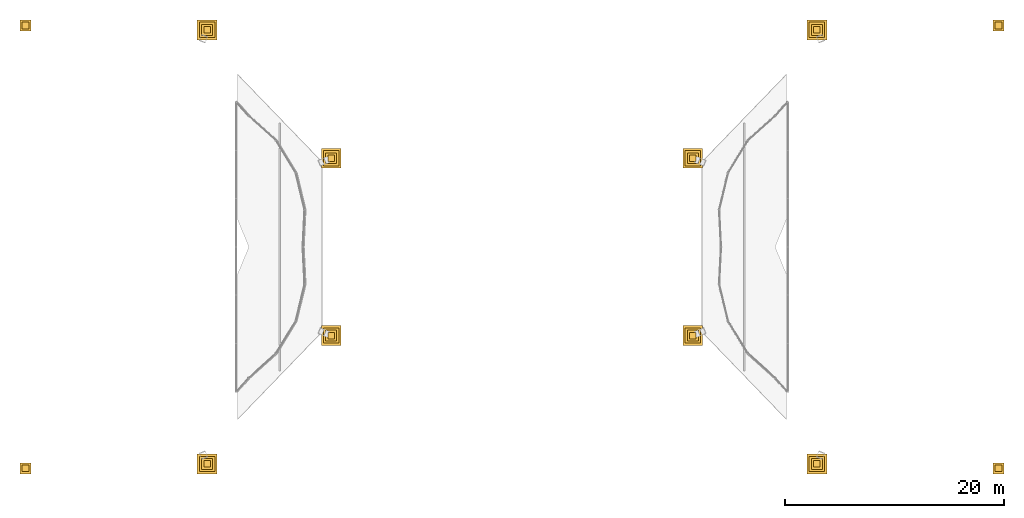
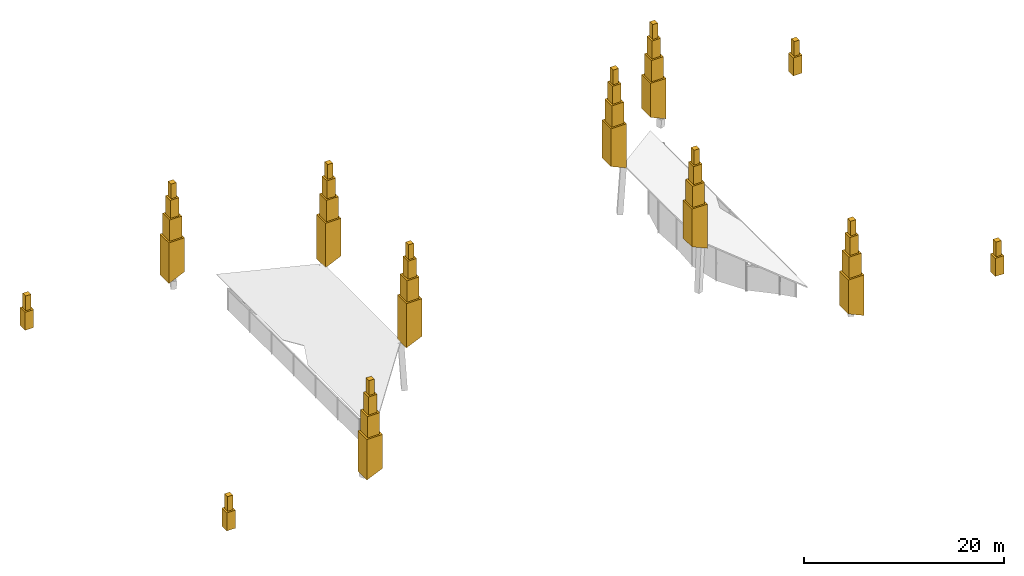
# One storey, part 8 of 8: 40 coverings.
"""IFC4 building model written with IfcOpenShell, lengths in metres."""

import ifcopenshell
import ifcopenshell.guid

model = None  # the IFC model being written
_history = None  # IfcOwnerHistory: only IFC2X3 demands one
_inside = {}  # id of a spatial element -> (the spatial element, [elements in it])
_under = {}  # id of a project, library or spatial element -> (it, [spatial elements below it])
_declared = {}  # id of a project -> (the project, [libraries it declares])
_typed = {}  # id of a type object -> (the type object, [elements of that type])
_made_of = {}  # id of a material, layer set ... -> (it, [elements and type objects made of it])


def new_model(schema):
    """Start an empty IFC model of exactly this schema.

    Asked for "IFC4X3", IfcOpenShell would pick the latest addendum, in which some entities
    have other attributes; the version numbers below select the first issue.
    IFC2X3 requires an IfcOwnerHistory on every rooted entity: one is made here for all.
    """
    global model, _history
    if schema == "IFC4X3":
        model = ifcopenshell.file(schema_version=(4, 3, 0, 0))
    else:
        model = ifcopenshell.file(schema=schema)
    _inside.clear()
    _under.clear()
    _declared.clear()
    _typed.clear()
    _made_of.clear()
    _history = None
    if model.schema == "IFC2X3":
        org = make("IfcOrganization", Name="unknown")
        user = make(
            "IfcPersonAndOrganization",
            ThePerson=make("IfcPerson", FamilyName="unknown"),
            TheOrganization=org,
        )
        app = make(
            "IfcApplication",
            ApplicationDeveloper=org,
            Version="unknown",
            ApplicationFullName="unknown",
            ApplicationIdentifier="unknown",
        )
        _history = make(
            "IfcOwnerHistory",
            OwningUser=user,
            OwningApplication=app,
            ChangeAction="ADDED",
            CreationDate=0,
        )
    return model


def make(cls, **values):
    """One entity of the class cls with the attributes given. An attribute that is None is left unset."""
    return model.create_entity(
        cls, **{name: value for name, value in values.items() if value is not None}
    )


def rooted(cls, **values):
    """An entity with a GlobalId (a new one), such as an element, a storey or a relation."""
    return make(cls, GlobalId=ifcopenshell.guid.new(), OwnerHistory=_history, **values)


def si_unit(unit_type, name, prefix=None):
    """IfcSIUnit, for example si_unit("LENGTHUNIT", "METRE", prefix="MILLI")."""
    return make("IfcSIUnit", UnitType=unit_type, Prefix=prefix, Name=name)


def assignment(units):
    """IfcUnitAssignment: the units of a project."""
    return None if units is None else make("IfcUnitAssignment", Units=units)


def point(xyz):
    """IfcCartesianPoint."""
    return None if xyz is None else make("IfcCartesianPoint", Coordinates=xyz)


def direction(xyz):
    """IfcDirection."""
    return None if xyz is None else make("IfcDirection", DirectionRatios=xyz)


def frame(location, z_axis=None, x_axis=None):
    """IfcAxis2Placement3D, a coordinate frame: its origin and axes. An axis left out is left unset."""
    return make(
        "IfcAxis2Placement3D",
        Location=point(location),
        Axis=direction(z_axis),
        RefDirection=direction(x_axis),
    )


def origin():
    """The frame at (0, 0, 0) with its axes left unset."""
    return frame((0.0, 0.0, 0.0))


def place(relative_to, where):
    """IfcLocalPlacement: puts the frame where relative to a parent placement (None: the world)."""
    return make(
        "IfcLocalPlacement", PlacementRelTo=relative_to, RelativePlacement=where
    )


def context(
    kind, dimensions, precision=None, world=None, true_north=None, identifier=None
):
    """IfcGeometricRepresentationContext, for example the 3D "Model" context."""
    return make(
        "IfcGeometricRepresentationContext",
        ContextIdentifier=identifier,
        ContextType=kind,
        CoordinateSpaceDimension=dimensions,
        Precision=precision,
        WorldCoordinateSystem=world,
        TrueNorth=true_north,
    )


def subcontext(parent, identifier, kind, view, scale=None):
    """IfcGeometricRepresentationSubContext, for example "Body" below "Model"."""
    return make(
        "IfcGeometricRepresentationSubContext",
        ContextIdentifier=identifier,
        ContextType=kind,
        ParentContext=parent,
        TargetScale=scale,
        TargetView=view,
    )


def project(units=None, contexts=None):
    """IfcProject with its units and contexts."""
    return rooted(
        "IfcProject",
        Name="project",
        RepresentationContexts=contexts,
        UnitsInContext=assignment(units),
    )


def spatial(cls, under=None, at=None, **own):
    """A site, building, storey or space (cls), placed at a placement, below another one or the project."""
    s = rooted(cls, ObjectPlacement=at, **own)
    if under is not None:
        _under.setdefault(under.id(), (under, []))[1].append(s)
    return s


def polyline(points):
    """IfcPolyline through the points."""
    return make("IfcPolyline", Points=[point(p) for p in points])


def outline(outer, holes=None, kind="AREA"):
    """IfcArbitraryClosedProfileDef: a profile drawn as a closed curve; with holes, ...WithVoids."""
    if holes is None:
        return make("IfcArbitraryClosedProfileDef", ProfileType=kind, OuterCurve=outer)
    return make(
        "IfcArbitraryProfileDefWithVoids",
        ProfileType=kind,
        OuterCurve=outer,
        InnerCurves=holes,
    )


def extrude(swept, where, along, depth):
    """IfcExtrudedAreaSolid: the profile swept, set in the frame where, extruded along a direction by depth."""
    return make(
        "IfcExtrudedAreaSolid",
        SweptArea=swept,
        Position=where,
        ExtrudedDirection=direction(along),
        Depth=depth,
    )


def shape(context_of_items, identifier, shape_type, items):
    """IfcShapeRepresentation: the items that make up one representation, for example the "Body"."""
    return make(
        "IfcShapeRepresentation",
        ContextOfItems=context_of_items,
        RepresentationIdentifier=identifier,
        RepresentationType=shape_type,
        Items=items,
    )


def material(Name=None, Category=None):
    """IfcMaterial."""
    return make("IfcMaterial", Name=Name, Category=Category)


def layer(
    of_material, thickness, ventilated=None, Name=None, Category=None, Priority=None
):
    """IfcMaterialLayer: one layer of a wall or slab, of a material (None: an air gap)."""
    return make(
        "IfcMaterialLayer",
        Material=of_material,
        LayerThickness=thickness,
        IsVentilated=ventilated,
        Name=Name,
        Category=Category,
        Priority=Priority,
    )


def layer_set(layers, Name=None):
    """IfcMaterialLayerSet."""
    return make("IfcMaterialLayerSet", MaterialLayers=layers, LayerSetName=Name)


def made_of(thing, what):
    """Note that an element or type object is made of a material, layer set ...; save() writes the relation."""
    if what is not None:
        _made_of.setdefault(what.id(), (what, []))[1].append(thing)
    return thing


def type_object(cls, material=None, **own):
    """A type object (cls), such as IfcWallType, which elements share."""
    return made_of(rooted(cls, **own), material)


def element(
    cls,
    number,
    at=None,
    inside=None,
    cuts=None,
    type_object=None,
    material=None,
    context=None,
    identifier="Body",
    shape_type=None,
    held_by="IfcProductDefinitionShape",
    body=None,
    shapes=None,
    **own,
):
    """One element of the class cls, such as IfcWall. Its Tag is "e" and its number.

    at: its placement. inside: the storey or other place that contains it. cuts: it is an
    opening in that element (IfcRelVoidsElement). A single representation is given by context,
    identifier, shape_type and body (its items); several are given by shapes. held_by: the class
    of the entity that holds the representations. save() writes the other relations.
    """
    e = rooted(cls, Tag="e%d" % number, ObjectPlacement=at, **own)
    if body is not None:
        shapes = [shape(context, identifier, shape_type, body)]
    if shapes is not None:
        e.Representation = make(held_by, Representations=shapes)
    if inside is not None:
        _inside.setdefault(inside.id(), (inside, []))[1].append(e)
    if cuts is not None:
        rooted(
            "IfcRelVoidsElement", RelatingBuildingElement=cuts, RelatedOpeningElement=e
        )
    if type_object is not None:
        _typed.setdefault(type_object.id(), (type_object, []))[1].append(e)
    return made_of(e, material)


def aggregate(whole, parts):
    """IfcRelAggregates: a whole, such as a stair, and the parts it consists of."""
    return rooted("IfcRelAggregates", RelatingObject=whole, RelatedObjects=parts)


def save(model, path):
    """Write the relations noted so far, then the file.

    IfcRelAggregates (storeys below a building ...), IfcRelContainedInSpatialStructure (elements
    in a storey), IfcRelDefinesByType, IfcRelAssociatesMaterial and IfcRelDeclares: one each for
    every whole, place, type object, material and project.
    """
    for whole, parts in _under.values():
        aggregate(whole, parts)
    for where, things in _inside.values():
        rooted(
            "IfcRelContainedInSpatialStructure",
            RelatedElements=things,
            RelatingStructure=where,
        )
    for kind, things in _typed.values():
        rooted("IfcRelDefinesByType", RelatedObjects=things, RelatingType=kind)
    for what, things in _made_of.values():
        rooted("IfcRelAssociatesMaterial", RelatedObjects=things, RelatingMaterial=what)
    for by, libraries in _declared.values():
        rooted("IfcRelDeclares", RelatingContext=by, RelatedDefinitions=libraries)
    model.write(path)


model = new_model("IFC4")

# Units and contexts
model_context = context("Model", 3, precision=1e-05, world=origin(), true_north=direction((0.0, 1.0)))
body_context = subcontext(model_context, "Body", "Model", "MODEL_VIEW")
ifc_project = project(units=[si_unit("LENGTHUNIT", "METRE"), si_unit("AREAUNIT", "SQUARE_METRE"), si_unit("VOLUMEUNIT", "CUBIC_METRE"), si_unit("PLANEANGLEUNIT", "RADIAN"), si_unit("MASSUNIT", "GRAM", prefix="KILO")], contexts=[model_context])

# Site, building, storey
site_placement = place(None, origin())
site = spatial("IfcSite", under=ifc_project, at=site_placement, CompositionType="ELEMENT")
building_placement = place(site_placement, origin())
building = spatial("IfcBuilding", under=site, at=building_placement, Name="Ogive Gate Towers", CompositionType="ELEMENT")
storey_placement = place(building_placement, frame((0.0, 0.0, 314.0)))
storey = spatial("IfcBuildingStorey", under=building, at=storey_placement, Name="L74", CompositionType="ELEMENT", Elevation=314.0)

# Coverings
ifc_material = material(Name="Cast stone", Category="masonry")
ifc_layer_1 = layer(ifc_material, 2.199951171875)
ifc_layer_set_1 = layer_set([ifc_layer_1], Name="Pinnacle tier 1000")
covering_type_1 = type_object("IfcCoveringType", Name="Pinnacle tier 1000", PredefinedType="CLADDING", material=ifc_layer_set_1)
covering_1_placement = place(storey_placement, frame((0.0, 0.0, 13.833251953125)))
element("IfcCovering", 1, at=covering_1_placement, inside=storey, type_object=covering_type_1, Name="Crown pinnacle", PredefinedType="CLADDING", context=body_context, shape_type="SweptSolid", body=[
    extrude(outline(polyline([(-16.984619140625, 7.58349609375), (-15.984619140625, 7.58349609375), (-15.984619140625, 8.58349609375), (-16.984619140625, 8.58349609375), (-16.984619140625, 7.58349609375)])), origin(), (0.0, 0.0, 1.0), 2.199951171875),
])
covering_2_placement = place(storey_placement, frame((0.0, 0.0, 8.31494140625)))
element("IfcCovering", 2, at=covering_2_placement, inside=storey, type_object=covering_type_1, Name="Crown pinnacle", PredefinedType="CLADDING", context=body_context, shape_type="SweptSolid", body=[
    extrude(outline(polyline([(-28.302978515625, 19.289306640625), (-27.302978515625, 19.289306640625), (-27.302978515625, 20.289306640625), (-28.302978515625, 20.289306640625), (-28.302978515625, 19.289306640625)])), origin(), (0.0, 0.0, 1.0), 2.199951171875),
])
covering_3_placement = place(storey_placement, frame((0.0, 0.0, 0.208984375)))
element("IfcCovering", 3, at=covering_3_placement, inside=storey, type_object=covering_type_1, Name="Crown pinnacle", PredefinedType="CLADDING", context=body_context, shape_type="SweptSolid", body=[
    extrude(outline(polyline([(-44.86328125, 19.6904296875), (-43.86328125, 19.6904296875), (-43.86328125, 20.6904296875), (-44.86328125, 20.6904296875), (-44.86328125, 19.6904296875)])), origin(), (0.0, 0.0, 1.0), 2.2001953125),
])
covering_4_placement = place(storey_placement, frame((0.0, 0.0, 0.208984375)))
element("IfcCovering", 4, at=covering_4_placement, inside=storey, type_object=covering_type_1, Name="Crown pinnacle", PredefinedType="CLADDING", context=body_context, shape_type="SweptSolid", body=[
    extrude(outline(polyline([(-44.86328125, -20.6904296875), (-43.86328125, -20.6904296875), (-43.86328125, -19.6904296875), (-44.86328125, -19.6904296875), (-44.86328125, -20.6904296875)])), origin(), (0.0, 0.0, 1.0), 2.2001953125),
])
covering_5_placement = place(storey_placement, frame((0.0, 0.0, 8.31494140625)))
element("IfcCovering", 5, at=covering_5_placement, inside=storey, type_object=covering_type_1, Name="Crown pinnacle", PredefinedType="CLADDING", context=body_context, shape_type="SweptSolid", body=[
    extrude(outline(polyline([(-28.302978515625, -20.289306640625), (-27.302978515625, -20.289306640625), (-27.302978515625, -19.289306640625), (-28.302978515625, -19.289306640625), (-28.302978515625, -20.289306640625)])), origin(), (0.0, 0.0, 1.0), 2.199951171875),
])
covering_6_placement = place(storey_placement, frame((0.0, 0.0, 13.833251953125)))
element("IfcCovering", 6, at=covering_6_placement, inside=storey, type_object=covering_type_1, Name="Crown pinnacle", PredefinedType="CLADDING", context=body_context, shape_type="SweptSolid", body=[
    extrude(outline(polyline([(-16.984619140625, -8.58349609375), (-15.984619140625, -8.58349609375), (-15.984619140625, -7.58349609375), (-16.984619140625, -7.58349609375), (-16.984619140625, -8.58349609375)])), origin(), (0.0, 0.0, 1.0), 2.199951171875),
])
covering_7_placement = place(storey_placement, frame((0.0, 0.0, 0.208984375)))
element("IfcCovering", 7, at=covering_7_placement, inside=storey, type_object=covering_type_1, Name="Crown pinnacle", PredefinedType="CLADDING", context=body_context, shape_type="SweptSolid", body=[
    extrude(outline(polyline([(44.86328125, 20.6904296875), (43.86328125, 20.6904296875), (43.86328125, 19.6904296875), (44.86328125, 19.6904296875), (44.86328125, 20.6904296875)])), origin(), (0.0, 0.0, 1.0), 2.2001953125),
])
covering_8_placement = place(storey_placement, frame((0.0, 0.0, 8.31494140625)))
element("IfcCovering", 8, at=covering_8_placement, inside=storey, type_object=covering_type_1, Name="Crown pinnacle", PredefinedType="CLADDING", context=body_context, shape_type="SweptSolid", body=[
    extrude(outline(polyline([(28.302978515625, 20.289306640625), (27.302978515625, 20.289306640625), (27.302978515625, 19.289306640625), (28.302978515625, 19.289306640625), (28.302978515625, 20.289306640625)])), origin(), (0.0, 0.0, 1.0), 2.199951171875),
])
covering_9_placement = place(storey_placement, frame((0.0, 0.0, 13.833251953125)))
element("IfcCovering", 9, at=covering_9_placement, inside=storey, type_object=covering_type_1, Name="Crown pinnacle", PredefinedType="CLADDING", context=body_context, shape_type="SweptSolid", body=[
    extrude(outline(polyline([(16.984619140625, 8.58349609375), (15.984619140625, 8.58349609375), (15.984619140625, 7.58349609375), (16.984619140625, 7.58349609375), (16.984619140625, 8.58349609375)])), origin(), (0.0, 0.0, 1.0), 2.199951171875),
])
covering_10_placement = place(storey_placement, frame((0.0, 0.0, 13.833251953125)))
element("IfcCovering", 10, at=covering_10_placement, inside=storey, type_object=covering_type_1, Name="Crown pinnacle", PredefinedType="CLADDING", context=body_context, shape_type="SweptSolid", body=[
    extrude(outline(polyline([(16.984619140625, -7.58349609375), (15.984619140625, -7.58349609375), (15.984619140625, -8.58349609375), (16.984619140625, -8.58349609375), (16.984619140625, -7.58349609375)])), origin(), (0.0, 0.0, 1.0), 2.199951171875),
])
covering_11_placement = place(storey_placement, frame((0.0, 0.0, 8.31494140625)))
element("IfcCovering", 11, at=covering_11_placement, inside=storey, type_object=covering_type_1, Name="Crown pinnacle", PredefinedType="CLADDING", context=body_context, shape_type="SweptSolid", body=[
    extrude(outline(polyline([(28.302978515625, -19.289306640625), (27.302978515625, -19.289306640625), (27.302978515625, -20.289306640625), (28.302978515625, -20.289306640625), (28.302978515625, -19.289306640625)])), origin(), (0.0, 0.0, 1.0), 2.199951171875),
])
covering_12_placement = place(storey_placement, frame((0.0, 0.0, 0.208984375)))
element("IfcCovering", 12, at=covering_12_placement, inside=storey, type_object=covering_type_1, Name="Crown pinnacle", PredefinedType="CLADDING", context=body_context, shape_type="SweptSolid", body=[
    extrude(outline(polyline([(44.86328125, -19.6904296875), (43.86328125, -19.6904296875), (43.86328125, -20.6904296875), (44.86328125, -20.6904296875), (44.86328125, -19.6904296875)])), origin(), (0.0, 0.0, 1.0), 2.2001953125),
])
ifc_layer_2 = layer(ifc_material, 2.60009765625)
ifc_layer_set_2 = layer_set([ifc_layer_2], Name="Pinnacle tier 1400")
covering_type_2 = type_object("IfcCoveringType", Name="Pinnacle tier 1400", PredefinedType="CLADDING", material=ifc_layer_set_2)
covering_13_placement = place(storey_placement, frame((0.0, 0.0, 11.233154296875)))
element("IfcCovering", 13, at=covering_13_placement, inside=storey, type_object=covering_type_2, Name="Crown pinnacle", PredefinedType="CLADDING", context=body_context, shape_type="SweptSolid", body=[
    extrude(outline(polyline([(-17.1845703125, 7.383544921875), (-15.784423828125, 7.383544921875), (-15.784423828125, 8.78369140625), (-17.1845703125, 8.78369140625), (-17.1845703125, 7.383544921875)])), origin(), (0.0, 0.0, 1.0), 2.60009765625),
])
covering_14_placement = place(storey_placement, frame((0.0, 0.0, 5.71484375)))
element("IfcCovering", 14, at=covering_14_placement, inside=storey, type_object=covering_type_2, Name="Crown pinnacle", PredefinedType="CLADDING", context=body_context, shape_type="SweptSolid", body=[
    extrude(outline(polyline([(-28.5029296875, 19.08935546875), (-27.10302734375, 19.08935546875), (-27.10302734375, 20.4892578125), (-28.5029296875, 20.4892578125), (-28.5029296875, 19.08935546875)])), origin(), (0.0, 0.0, 1.0), 2.60009765625),
])
covering_15_placement = place(storey_placement, frame((0.0, 0.0, 5.71484375)))
element("IfcCovering", 15, at=covering_15_placement, inside=storey, type_object=covering_type_2, Name="Crown pinnacle", PredefinedType="CLADDING", context=body_context, shape_type="SweptSolid", body=[
    extrude(outline(polyline([(-28.5029296875, -20.4892578125), (-27.10302734375, -20.4892578125), (-27.10302734375, -19.08935546875), (-28.5029296875, -19.08935546875), (-28.5029296875, -20.4892578125)])), origin(), (0.0, 0.0, 1.0), 2.60009765625),
])
covering_16_placement = place(storey_placement, frame((0.0, 0.0, 11.233154296875)))
element("IfcCovering", 16, at=covering_16_placement, inside=storey, type_object=covering_type_2, Name="Crown pinnacle", PredefinedType="CLADDING", context=body_context, shape_type="SweptSolid", body=[
    extrude(outline(polyline([(-17.1845703125, -8.78369140625), (-15.784423828125, -8.78369140625), (-15.784423828125, -7.383544921875), (-17.1845703125, -7.383544921875), (-17.1845703125, -8.78369140625)])), origin(), (0.0, 0.0, 1.0), 2.60009765625),
])
covering_17_placement = place(storey_placement, frame((0.0, 0.0, 5.71484375)))
element("IfcCovering", 17, at=covering_17_placement, inside=storey, type_object=covering_type_2, Name="Crown pinnacle", PredefinedType="CLADDING", context=body_context, shape_type="SweptSolid", body=[
    extrude(outline(polyline([(28.5029296875, 20.4892578125), (27.10302734375, 20.4892578125), (27.10302734375, 19.08935546875), (28.5029296875, 19.08935546875), (28.5029296875, 20.4892578125)])), origin(), (0.0, 0.0, 1.0), 2.60009765625),
])
covering_18_placement = place(storey_placement, frame((0.0, 0.0, 11.233154296875)))
element("IfcCovering", 18, at=covering_18_placement, inside=storey, type_object=covering_type_2, Name="Crown pinnacle", PredefinedType="CLADDING", context=body_context, shape_type="SweptSolid", body=[
    extrude(outline(polyline([(17.1845703125, 8.78369140625), (15.784423828125, 8.78369140625), (15.784423828125, 7.383544921875), (17.1845703125, 7.383544921875), (17.1845703125, 8.78369140625)])), origin(), (0.0, 0.0, 1.0), 2.60009765625),
])
covering_19_placement = place(storey_placement, frame((0.0, 0.0, 11.233154296875)))
element("IfcCovering", 19, at=covering_19_placement, inside=storey, type_object=covering_type_2, Name="Crown pinnacle", PredefinedType="CLADDING", context=body_context, shape_type="SweptSolid", body=[
    extrude(outline(polyline([(17.1845703125, -7.383544921875), (15.784423828125, -7.383544921875), (15.784423828125, -8.78369140625), (17.1845703125, -8.78369140625), (17.1845703125, -7.383544921875)])), origin(), (0.0, 0.0, 1.0), 2.60009765625),
])
covering_20_placement = place(storey_placement, frame((0.0, 0.0, 5.71484375)))
element("IfcCovering", 20, at=covering_20_placement, inside=storey, type_object=covering_type_2, Name="Crown pinnacle", PredefinedType="CLADDING", context=body_context, shape_type="SweptSolid", body=[
    extrude(outline(polyline([(28.5029296875, -19.08935546875), (27.10302734375, -19.08935546875), (27.10302734375, -20.4892578125), (28.5029296875, -20.4892578125), (28.5029296875, -19.08935546875)])), origin(), (0.0, 0.0, 1.0), 2.60009765625),
])
ifc_layer_3 = layer(ifc_material, 3.0)
ifc_layer_set_3 = layer_set([ifc_layer_3], Name="Pinnacle tier 1800")
covering_type_3 = type_object("IfcCoveringType", Name="Pinnacle tier 1800", PredefinedType="CLADDING", material=ifc_layer_set_3)
covering_21_placement = place(storey_placement, frame((-16.484619140625, 7.18359375, 6.230712890625), z_axis=(0.0, 1.0, 0.0), x_axis=(-1.0, 0.0, 0.0)))
element("IfcCovering", 21, at=covering_21_placement, inside=storey, type_object=covering_type_3, Name="Crown pinnacle", PredefinedType="CLADDING", context=body_context, shape_type="SweptSolid", body=[
    extrude(outline(polyline([(0.89990234375, -0.402587890625), (-0.89990234375, 0.402587890625), (-0.89990234375, 5.002685546875), (0.89990234375, 5.002685546875), (0.89990234375, -0.402587890625)])), origin(), (0.0, 0.0, 1.0), 1.800048828125),
])
for number, where, z_axis, x_axis, name in (
    (22, (-27.802978515625, 18.889404296875, 1.1669921875), (0.0, 1.0, 0.0), (-1.0, 0.0, 0.0), "Crown pinnacle"),
    (23, (-27.802978515625, -20.689208984375, 1.1669921875), (0.0, 1.0, 0.0), (-1.0, 0.0, 0.0), "Crown pinnacle"),
):
    element("IfcCovering", number, at=place(storey_placement, frame(where, z_axis=z_axis, x_axis=x_axis)), inside=storey, type_object=covering_type_3, Name=name, PredefinedType="CLADDING", context=body_context, shape_type="SweptSolid", body=[
        extrude(outline(polyline([(0.89990234375, -0.402587890625), (-0.89990234375, 0.402587890625), (-0.89990234375, 4.5478515625), (0.89990234375, 4.5478515625), (0.89990234375, -0.402587890625)])), origin(), (0.0, 0.0, 1.0), 1.7998046875),
    ])
covering_22_placement = place(storey_placement, frame((-16.484619140625, -8.983642578125, 6.230712890625), z_axis=(0.0, 1.0, 0.0), x_axis=(-1.0, 0.0, 0.0)))
element("IfcCovering", 24, at=covering_22_placement, inside=storey, type_object=covering_type_3, Name="Crown pinnacle", PredefinedType="CLADDING", context=body_context, shape_type="SweptSolid", body=[
    extrude(outline(polyline([(0.89990234375, -0.402587890625), (-0.89990234375, 0.402587890625), (-0.89990234375, 5.002685546875), (0.89990234375, 5.002685546875), (0.89990234375, -0.402587890625)])), origin(), (0.0, 0.0, 1.0), 1.800048828125),
])
covering_23_placement = place(storey_placement, frame((27.802978515625, 20.689208984375, 1.1669921875), z_axis=(0.0, -1.0, 0.0), x_axis=(1.0, 0.0, 0.0)))
element("IfcCovering", 25, at=covering_23_placement, inside=storey, type_object=covering_type_3, Name="Crown pinnacle", PredefinedType="CLADDING", context=body_context, shape_type="SweptSolid", body=[
    extrude(outline(polyline([(0.89990234375, -0.402587890625), (-0.89990234375, 0.402587890625), (-0.89990234375, 4.5478515625), (0.89990234375, 4.5478515625), (0.89990234375, -0.402587890625)])), origin(), (0.0, 0.0, 1.0), 1.7998046875),
])
for number, where, z_axis, x_axis, name in (
    (26, (16.484619140625, 8.983642578125, 6.230712890625), (0.0, -1.0, 0.0), (1.0, 0.0, 0.0), "Crown pinnacle"),
    (27, (16.484619140625, -7.18359375, 6.230712890625), (0.0, -1.0, 0.0), (1.0, 0.0, 0.0), "Crown pinnacle"),
):
    element("IfcCovering", number, at=place(storey_placement, frame(where, z_axis=z_axis, x_axis=x_axis)), inside=storey, type_object=covering_type_3, Name=name, PredefinedType="CLADDING", context=body_context, shape_type="SweptSolid", body=[
        extrude(outline(polyline([(0.89990234375, -0.402587890625), (-0.89990234375, 0.402587890625), (-0.89990234375, 5.002685546875), (0.89990234375, 5.002685546875), (0.89990234375, -0.402587890625)])), origin(), (0.0, 0.0, 1.0), 1.800048828125),
    ])
covering_24_placement = place(storey_placement, frame((27.802978515625, -18.889404296875, 1.1669921875), z_axis=(0.0, -1.0, 0.0), x_axis=(1.0, 0.0, 0.0)))
element("IfcCovering", 28, at=covering_24_placement, inside=storey, type_object=covering_type_3, Name="Crown pinnacle", PredefinedType="CLADDING", context=body_context, shape_type="SweptSolid", body=[
    extrude(outline(polyline([(0.89990234375, -0.402587890625), (-0.89990234375, 0.402587890625), (-0.89990234375, 4.5478515625), (0.89990234375, 4.5478515625), (0.89990234375, -0.402587890625)])), origin(), (0.0, 0.0, 1.0), 1.7998046875),
])
ifc_layer_4 = layer(ifc_material, 1.800048828125)
ifc_layer_set_4 = layer_set([ifc_layer_4], Name="Pinnacle tier 600")
covering_type_4 = type_object("IfcCoveringType", Name="Pinnacle tier 600", PredefinedType="CLADDING", material=ifc_layer_set_4)
covering_25_placement = place(storey_placement, frame((0.0, 0.0, 16.033203125)))
element("IfcCovering", 29, at=covering_25_placement, inside=storey, type_object=covering_type_4, Name="Crown pinnacle", PredefinedType="CLADDING", context=body_context, shape_type="SweptSolid", body=[
    extrude(outline(polyline([(-16.784423828125, 7.78369140625), (-16.1845703125, 7.78369140625), (-16.1845703125, 8.383544921875), (-16.784423828125, 8.383544921875), (-16.784423828125, 7.78369140625)])), origin(), (0.0, 0.0, 1.0), 1.800048828125),
])
covering_26_placement = place(storey_placement, frame((0.0, 0.0, 10.514892578125)))
element("IfcCovering", 30, at=covering_26_placement, inside=storey, type_object=covering_type_4, Name="Crown pinnacle", PredefinedType="CLADDING", context=body_context, shape_type="SweptSolid", body=[
    extrude(outline(polyline([(-28.10302734375, 19.4892578125), (-27.5029296875, 19.4892578125), (-27.5029296875, 20.08935546875), (-28.10302734375, 20.08935546875), (-28.10302734375, 19.4892578125)])), origin(), (0.0, 0.0, 1.0), 1.800048828125),
])
covering_27_placement = place(storey_placement, frame((0.0, 0.0, 2.4091796875)))
element("IfcCovering", 31, at=covering_27_placement, inside=storey, type_object=covering_type_4, Name="Crown pinnacle", PredefinedType="CLADDING", context=body_context, shape_type="SweptSolid", body=[
    extrude(outline(polyline([(-44.6630859375, 19.890625), (-44.063232421875, 19.890625), (-44.063232421875, 20.490478515625), (-44.6630859375, 20.490478515625), (-44.6630859375, 19.890625)])), origin(), (0.0, 0.0, 1.0), 1.7998046875),
])
covering_28_placement = place(storey_placement, frame((0.0, 0.0, 2.4091796875)))
element("IfcCovering", 32, at=covering_28_placement, inside=storey, type_object=covering_type_4, Name="Crown pinnacle", PredefinedType="CLADDING", context=body_context, shape_type="SweptSolid", body=[
    extrude(outline(polyline([(-44.6630859375, -20.490478515625), (-44.063232421875, -20.490478515625), (-44.063232421875, -19.890625), (-44.6630859375, -19.890625), (-44.6630859375, -20.490478515625)])), origin(), (0.0, 0.0, 1.0), 1.7998046875),
])
covering_29_placement = place(storey_placement, frame((0.0, 0.0, 10.514892578125)))
element("IfcCovering", 33, at=covering_29_placement, inside=storey, type_object=covering_type_4, Name="Crown pinnacle", PredefinedType="CLADDING", context=body_context, shape_type="SweptSolid", body=[
    extrude(outline(polyline([(-28.10302734375, -20.08935546875), (-27.5029296875, -20.08935546875), (-27.5029296875, -19.4892578125), (-28.10302734375, -19.4892578125), (-28.10302734375, -20.08935546875)])), origin(), (0.0, 0.0, 1.0), 1.800048828125),
])
covering_30_placement = place(storey_placement, frame((0.0, 0.0, 16.033203125)))
element("IfcCovering", 34, at=covering_30_placement, inside=storey, type_object=covering_type_4, Name="Crown pinnacle", PredefinedType="CLADDING", context=body_context, shape_type="SweptSolid", body=[
    extrude(outline(polyline([(-16.784423828125, -8.383544921875), (-16.1845703125, -8.383544921875), (-16.1845703125, -7.78369140625), (-16.784423828125, -7.78369140625), (-16.784423828125, -8.383544921875)])), origin(), (0.0, 0.0, 1.0), 1.800048828125),
])
covering_31_placement = place(storey_placement, frame((0.0, 0.0, 2.4091796875)))
element("IfcCovering", 35, at=covering_31_placement, inside=storey, type_object=covering_type_4, Name="Crown pinnacle", PredefinedType="CLADDING", context=body_context, shape_type="SweptSolid", body=[
    extrude(outline(polyline([(44.6630859375, 20.490478515625), (44.063232421875, 20.490478515625), (44.063232421875, 19.890625), (44.6630859375, 19.890625), (44.6630859375, 20.490478515625)])), origin(), (0.0, 0.0, 1.0), 1.7998046875),
])
covering_32_placement = place(storey_placement, frame((0.0, 0.0, 10.514892578125)))
element("IfcCovering", 36, at=covering_32_placement, inside=storey, type_object=covering_type_4, Name="Crown pinnacle", PredefinedType="CLADDING", context=body_context, shape_type="SweptSolid", body=[
    extrude(outline(polyline([(28.10302734375, 20.08935546875), (27.5029296875, 20.08935546875), (27.5029296875, 19.4892578125), (28.10302734375, 19.4892578125), (28.10302734375, 20.08935546875)])), origin(), (0.0, 0.0, 1.0), 1.800048828125),
])
covering_33_placement = place(storey_placement, frame((0.0, 0.0, 16.033203125)))
element("IfcCovering", 37, at=covering_33_placement, inside=storey, type_object=covering_type_4, Name="Crown pinnacle", PredefinedType="CLADDING", context=body_context, shape_type="SweptSolid", body=[
    extrude(outline(polyline([(16.784423828125, 8.383544921875), (16.1845703125, 8.383544921875), (16.1845703125, 7.78369140625), (16.784423828125, 7.78369140625), (16.784423828125, 8.383544921875)])), origin(), (0.0, 0.0, 1.0), 1.800048828125),
])
covering_34_placement = place(storey_placement, frame((0.0, 0.0, 16.033203125)))
element("IfcCovering", 38, at=covering_34_placement, inside=storey, type_object=covering_type_4, Name="Crown pinnacle", PredefinedType="CLADDING", context=body_context, shape_type="SweptSolid", body=[
    extrude(outline(polyline([(16.784423828125, -7.78369140625), (16.1845703125, -7.78369140625), (16.1845703125, -8.383544921875), (16.784423828125, -8.383544921875), (16.784423828125, -7.78369140625)])), origin(), (0.0, 0.0, 1.0), 1.800048828125),
])
covering_35_placement = place(storey_placement, frame((0.0, 0.0, 10.514892578125)))
element("IfcCovering", 39, at=covering_35_placement, inside=storey, type_object=covering_type_4, Name="Crown pinnacle", PredefinedType="CLADDING", context=body_context, shape_type="SweptSolid", body=[
    extrude(outline(polyline([(28.10302734375, -19.4892578125), (27.5029296875, -19.4892578125), (27.5029296875, -20.08935546875), (28.10302734375, -20.08935546875), (28.10302734375, -19.4892578125)])), origin(), (0.0, 0.0, 1.0), 1.800048828125),
])
covering_36_placement = place(storey_placement, frame((0.0, 0.0, 2.4091796875)))
element("IfcCovering", 40, at=covering_36_placement, inside=storey, type_object=covering_type_4, Name="Crown pinnacle", PredefinedType="CLADDING", context=body_context, shape_type="SweptSolid", body=[
    extrude(outline(polyline([(44.6630859375, -19.890625), (44.063232421875, -19.890625), (44.063232421875, -20.490478515625), (44.6630859375, -20.490478515625), (44.6630859375, -19.890625)])), origin(), (0.0, 0.0, 1.0), 1.7998046875),
])

save(model, "model.ifc")
